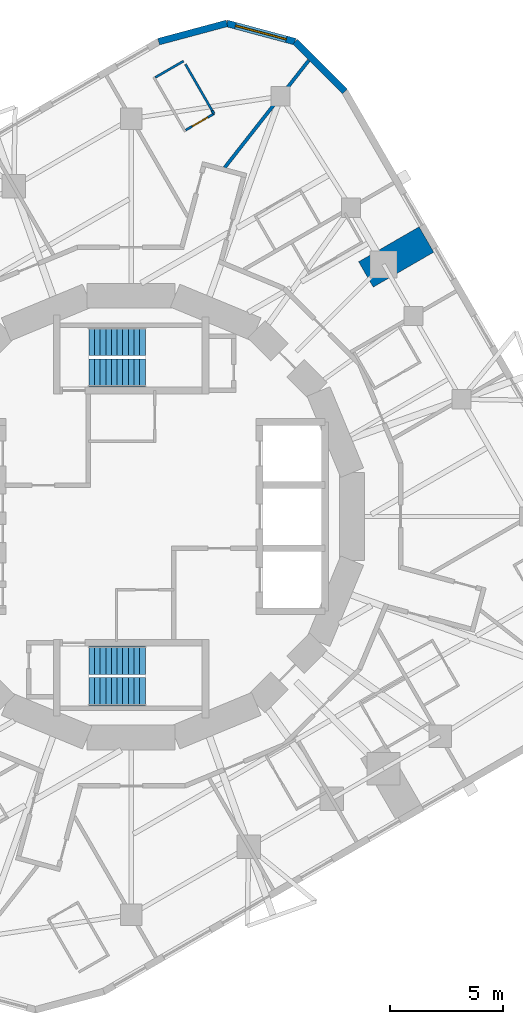
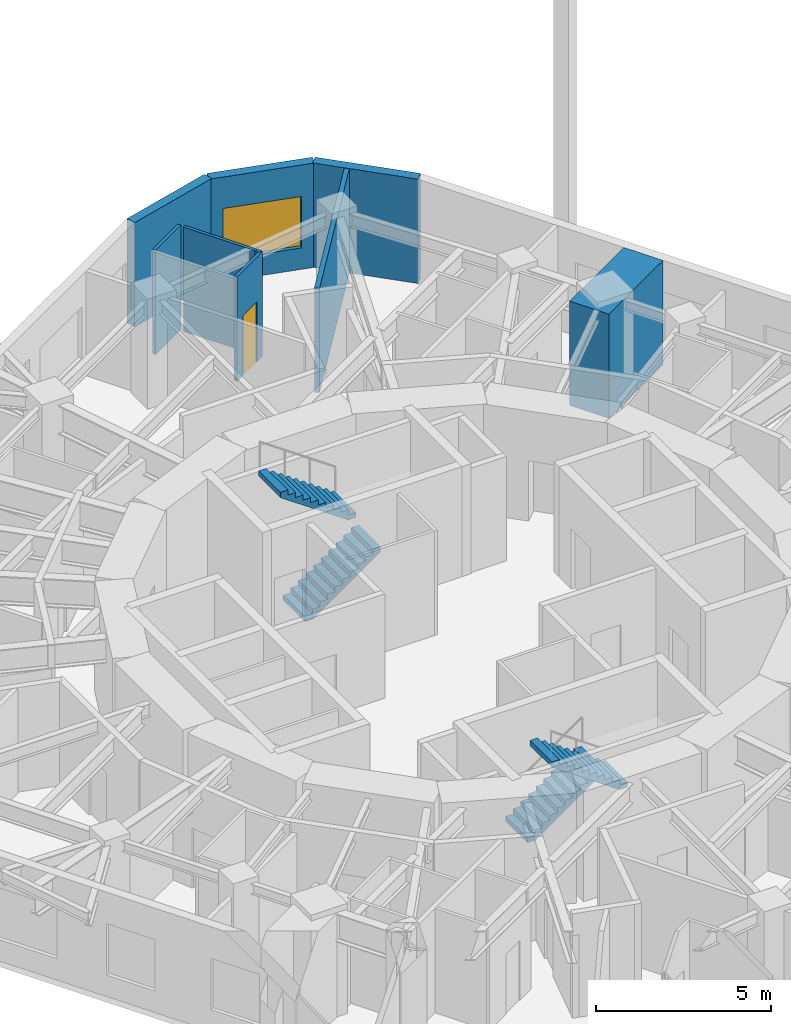
# One storey, part 9 of 10: 9 walls, 4 stair flights, 1 door, 1 window, 2 openings, 2 elements without a shape of their own.
"""IFC4 building model written with IfcOpenShell, lengths in metres."""

import ifcopenshell
import ifcopenshell.guid

model = None  # the IFC model being written
_history = None  # IfcOwnerHistory: only IFC2X3 demands one
_inside = {}  # id of a spatial element -> (the spatial element, [elements in it])
_under = {}  # id of a project, library or spatial element -> (it, [spatial elements below it])
_declared = {}  # id of a project -> (the project, [libraries it declares])
_typed = {}  # id of a type object -> (the type object, [elements of that type])
_made_of = {}  # id of a material, layer set ... -> (it, [elements and type objects made of it])


def new_model(schema):
    """Start an empty IFC model of exactly this schema.

    Asked for "IFC4X3", IfcOpenShell would pick the latest addendum, in which some entities
    have other attributes; the version numbers below select the first issue.
    IFC2X3 requires an IfcOwnerHistory on every rooted entity: one is made here for all.
    """
    global model, _history
    if schema == "IFC4X3":
        model = ifcopenshell.file(schema_version=(4, 3, 0, 0))
    else:
        model = ifcopenshell.file(schema=schema)
    _inside.clear()
    _under.clear()
    _declared.clear()
    _typed.clear()
    _made_of.clear()
    _history = None
    if model.schema == "IFC2X3":
        org = make("IfcOrganization", Name="unknown")
        user = make(
            "IfcPersonAndOrganization",
            ThePerson=make("IfcPerson", FamilyName="unknown"),
            TheOrganization=org,
        )
        app = make(
            "IfcApplication",
            ApplicationDeveloper=org,
            Version="unknown",
            ApplicationFullName="unknown",
            ApplicationIdentifier="unknown",
        )
        _history = make(
            "IfcOwnerHistory",
            OwningUser=user,
            OwningApplication=app,
            ChangeAction="ADDED",
            CreationDate=0,
        )
    return model


def make(cls, **values):
    """One entity of the class cls with the attributes given. An attribute that is None is left unset."""
    return model.create_entity(
        cls, **{name: value for name, value in values.items() if value is not None}
    )


def rooted(cls, **values):
    """An entity with a GlobalId (a new one), such as an element, a storey or a relation."""
    return make(cls, GlobalId=ifcopenshell.guid.new(), OwnerHistory=_history, **values)


def si_unit(unit_type, name, prefix=None):
    """IfcSIUnit, for example si_unit("LENGTHUNIT", "METRE", prefix="MILLI")."""
    return make("IfcSIUnit", UnitType=unit_type, Prefix=prefix, Name=name)


def assignment(units):
    """IfcUnitAssignment: the units of a project."""
    return None if units is None else make("IfcUnitAssignment", Units=units)


def point(xyz):
    """IfcCartesianPoint."""
    return None if xyz is None else make("IfcCartesianPoint", Coordinates=xyz)


def direction(xyz):
    """IfcDirection."""
    return None if xyz is None else make("IfcDirection", DirectionRatios=xyz)


def frame(location, z_axis=None, x_axis=None):
    """IfcAxis2Placement3D, a coordinate frame: its origin and axes. An axis left out is left unset."""
    return make(
        "IfcAxis2Placement3D",
        Location=point(location),
        Axis=direction(z_axis),
        RefDirection=direction(x_axis),
    )


def frame_2d(location, x_axis=None):
    """IfcAxis2Placement2D, a coordinate frame in the plane: its origin and x axis."""
    return make(
        "IfcAxis2Placement2D", Location=point(location), RefDirection=direction(x_axis)
    )


def origin():
    """The frame at (0, 0, 0) with its axes left unset."""
    return frame((0.0, 0.0, 0.0))


def place(relative_to, where):
    """IfcLocalPlacement: puts the frame where relative to a parent placement (None: the world)."""
    return make(
        "IfcLocalPlacement", PlacementRelTo=relative_to, RelativePlacement=where
    )


def context(
    kind, dimensions, precision=None, world=None, true_north=None, identifier=None
):
    """IfcGeometricRepresentationContext, for example the 3D "Model" context."""
    return make(
        "IfcGeometricRepresentationContext",
        ContextIdentifier=identifier,
        ContextType=kind,
        CoordinateSpaceDimension=dimensions,
        Precision=precision,
        WorldCoordinateSystem=world,
        TrueNorth=true_north,
    )


def subcontext(parent, identifier, kind, view, scale=None):
    """IfcGeometricRepresentationSubContext, for example "Body" below "Model"."""
    return make(
        "IfcGeometricRepresentationSubContext",
        ContextIdentifier=identifier,
        ContextType=kind,
        ParentContext=parent,
        TargetScale=scale,
        TargetView=view,
    )


def project(units=None, contexts=None):
    """IfcProject with its units and contexts."""
    return rooted(
        "IfcProject",
        Name="project",
        RepresentationContexts=contexts,
        UnitsInContext=assignment(units),
    )


def spatial(cls, under=None, at=None, **own):
    """A site, building, storey or space (cls), placed at a placement, below another one or the project."""
    s = rooted(cls, ObjectPlacement=at, **own)
    if under is not None:
        _under.setdefault(under.id(), (under, []))[1].append(s)
    return s


def polyline(points):
    """IfcPolyline through the points."""
    return make("IfcPolyline", Points=[point(p) for p in points])


def profile(cls, at=None, kind="AREA", **sizes):
    """A parametric profile (cls). Its sizes go by their IFC names, for example OverallWidth=200.0."""
    return make(cls, ProfileType=kind, Position=at, **sizes)


def rectangle(**sizes):
    """IfcRectangleProfileDef."""
    return profile("IfcRectangleProfileDef", **sizes)


def outline(outer, holes=None, kind="AREA"):
    """IfcArbitraryClosedProfileDef: a profile drawn as a closed curve; with holes, ...WithVoids."""
    if holes is None:
        return make("IfcArbitraryClosedProfileDef", ProfileType=kind, OuterCurve=outer)
    return make(
        "IfcArbitraryProfileDefWithVoids",
        ProfileType=kind,
        OuterCurve=outer,
        InnerCurves=holes,
    )


def extrude(swept, where, along, depth):
    """IfcExtrudedAreaSolid: the profile swept, set in the frame where, extruded along a direction by depth."""
    return make(
        "IfcExtrudedAreaSolid",
        SweptArea=swept,
        Position=where,
        ExtrudedDirection=direction(along),
        Depth=depth,
    )


def shape(context_of_items, identifier, shape_type, items):
    """IfcShapeRepresentation: the items that make up one representation, for example the "Body"."""
    return make(
        "IfcShapeRepresentation",
        ContextOfItems=context_of_items,
        RepresentationIdentifier=identifier,
        RepresentationType=shape_type,
        Items=items,
    )


def material(Name=None, Category=None):
    """IfcMaterial."""
    return make("IfcMaterial", Name=Name, Category=Category)


def layer(
    of_material, thickness, ventilated=None, Name=None, Category=None, Priority=None
):
    """IfcMaterialLayer: one layer of a wall or slab, of a material (None: an air gap)."""
    return make(
        "IfcMaterialLayer",
        Material=of_material,
        LayerThickness=thickness,
        IsVentilated=ventilated,
        Name=Name,
        Category=Category,
        Priority=Priority,
    )


def layer_set(layers, Name=None):
    """IfcMaterialLayerSet."""
    return make("IfcMaterialLayerSet", MaterialLayers=layers, LayerSetName=Name)


def made_of(thing, what):
    """Note that an element or type object is made of a material, layer set ...; save() writes the relation."""
    if what is not None:
        _made_of.setdefault(what.id(), (what, []))[1].append(thing)
    return thing


def type_object(cls, material=None, **own):
    """A type object (cls), such as IfcWallType, which elements share."""
    return made_of(rooted(cls, **own), material)


def element(
    cls,
    number,
    at=None,
    inside=None,
    cuts=None,
    type_object=None,
    material=None,
    context=None,
    identifier="Body",
    shape_type=None,
    held_by="IfcProductDefinitionShape",
    body=None,
    shapes=None,
    **own,
):
    """One element of the class cls, such as IfcWall. Its Tag is "e" and its number.

    at: its placement. inside: the storey or other place that contains it. cuts: it is an
    opening in that element (IfcRelVoidsElement). A single representation is given by context,
    identifier, shape_type and body (its items); several are given by shapes. held_by: the class
    of the entity that holds the representations. save() writes the other relations.
    """
    e = rooted(cls, Tag="e%d" % number, ObjectPlacement=at, **own)
    if body is not None:
        shapes = [shape(context, identifier, shape_type, body)]
    if shapes is not None:
        e.Representation = make(held_by, Representations=shapes)
    if inside is not None:
        _inside.setdefault(inside.id(), (inside, []))[1].append(e)
    if cuts is not None:
        rooted(
            "IfcRelVoidsElement", RelatingBuildingElement=cuts, RelatedOpeningElement=e
        )
    if type_object is not None:
        _typed.setdefault(type_object.id(), (type_object, []))[1].append(e)
    return made_of(e, material)


def fill(opening, filler):
    """IfcRelFillsElement: the door or window that sits in an opening."""
    return rooted(
        "IfcRelFillsElement",
        RelatingOpeningElement=opening,
        RelatedBuildingElement=filler,
    )


def aggregate(whole, parts):
    """IfcRelAggregates: a whole, such as a stair, and the parts it consists of."""
    return rooted("IfcRelAggregates", RelatingObject=whole, RelatedObjects=parts)


def save(model, path):
    """Write the relations noted so far, then the file.

    IfcRelAggregates (storeys below a building ...), IfcRelContainedInSpatialStructure (elements
    in a storey), IfcRelDefinesByType, IfcRelAssociatesMaterial and IfcRelDeclares: one each for
    every whole, place, type object, material and project.
    """
    for whole, parts in _under.values():
        aggregate(whole, parts)
    for where, things in _inside.values():
        rooted(
            "IfcRelContainedInSpatialStructure",
            RelatedElements=things,
            RelatingStructure=where,
        )
    for kind, things in _typed.values():
        rooted("IfcRelDefinesByType", RelatedObjects=things, RelatingType=kind)
    for what, things in _made_of.values():
        rooted("IfcRelAssociatesMaterial", RelatedObjects=things, RelatingMaterial=what)
    for by, libraries in _declared.values():
        rooted("IfcRelDeclares", RelatingContext=by, RelatedDefinitions=libraries)
    model.write(path)


model = new_model("IFC4")

# Units and contexts
model_context = context("Model", 3, precision=1e-05, world=origin(), true_north=direction((0.0, 1.0)))
body_context = subcontext(model_context, "Body", "Model", "MODEL_VIEW")
ifc_project = project(units=[si_unit("LENGTHUNIT", "METRE"), si_unit("AREAUNIT", "SQUARE_METRE"), si_unit("VOLUMEUNIT", "CUBIC_METRE"), si_unit("PLANEANGLEUNIT", "RADIAN"), si_unit("MASSUNIT", "GRAM", prefix="KILO")], contexts=[model_context])

# Site, building, storey
site_placement = place(None, origin())
site = spatial("IfcSite", under=ifc_project, at=site_placement, CompositionType="ELEMENT")
building_placement = place(site_placement, origin())
building = spatial("IfcBuilding", under=site, at=building_placement, Name="Nakasero Lantern House", CompositionType="ELEMENT")
storey_placement = place(building_placement, frame((0.0, 0.0, 223.10009765625)))
storey = spatial("IfcBuildingStorey", under=building, at=storey_placement, Name="L54", CompositionType="ELEMENT", Elevation=223.10009765625)

# Walls
ifc_material_1 = material(Name="Blockwork", Category="masonry")
ifc_layer_1 = layer(ifc_material_1, 1.300048828125)
ifc_layer_set_1 = layer_set([ifc_layer_1], Name="Column pier 1300")
wall_type_1 = type_object("IfcWallType", Name="Column pier 1300", PredefinedType="PARTITIONING", material=ifc_layer_set_1)
wall_1_placement = place(storey_placement, frame((10.4208984375, 10.75048828125, 0.0), z_axis=(0.0, 0.0, 1.0), x_axis=(0.866063626216, 0.499933790963, 0.0)))
element("IfcWall", 1, at=wall_1_placement, inside=storey, type_object=wall_type_1, Name="Column pier L54 PN0-05", PredefinedType="PARTITIONING", context=body_context, shape_type="SweptSolid", body=[
    extrude(rectangle(XDim=3.10009765625, YDim=1.300048828125, at=frame_2d((1.550048828125, 0.0))), origin(), (0.0, 0.0, 1.0), 3.64990234375),
])
ifc_material_2 = material(Name="Blockwork", Category="masonry")
ifc_layer_2 = layer(ifc_material_2, 0.10009765625)
ifc_layer_set_2 = layer_set([ifc_layer_2], Name="En-suite wall 100")
wall_type_2 = type_object("IfcWallType", Name="En-suite wall 100", PredefinedType="PARTITIONING", material=ifc_layer_set_2)
wall_2_placement = place(storey_placement, frame((2.325439453125, 20.221923828125, 0.0), z_axis=(0.0, 0.0, 1.0), x_axis=(-0.86604818453, -0.499960540515, 0.0)))
element("IfcWall", 2, at=wall_2_placement, inside=storey, type_object=wall_type_2, Name="En-suite wall L54 EE1-00", PredefinedType="PARTITIONING", context=body_context, shape_type="SweptSolid", body=[
    extrude(rectangle(XDim=1.44970703125, YDim=0.10009765625, at=frame_2d((0.724853515625, 0.0))), origin(), (0.0, 0.0, 1.0), 3.64990234375),
])

# Wall, opening, door
wall_3_placement = place(storey_placement, frame((3.675537109375, 17.8837890625, 0.0), z_axis=(0.0, 0.0, 1.0), x_axis=(-0.865975268738, -0.500086826395, 0.0)))
wall_3 = element("IfcWall", 3, at=wall_3_placement, inside=storey, type_object=wall_type_2, Name="En-suite wall L54 EI1-00", PredefinedType="PARTITIONING", context=body_context, shape_type="SweptSolid", body=[
    extrude(rectangle(XDim=1.449951171875, YDim=0.10009765625, at=frame_2d((0.72509765625, 0.0))), origin(), (0.0, 0.0, 1.0), 3.64990234375),
])
opening_1_placement = place(wall_3_placement, frame((0.324951171875, 0.0, 0.0)))
opening_1 = element("IfcOpeningElement", 4, at=opening_1_placement, cuts=wall_3, Name="Opening D02", PredefinedType="OPENING", context=body_context, shape_type="SweptSolid", body=[
    extrude(rectangle(XDim=0.800048828125, YDim=2.10009765625, at=frame_2d((0.39990234375, 1.050048828125))), frame((0.0, 0.070068359375, 0.0), z_axis=(0.0, -1.0, 0.0), x_axis=(1.0, 0.0, 0.0)), (0.0, 0.0, 1.0), 0.14013671875),
])
ifc_material_3 = material(Name="Timber C24", Category="wood")
door_type = type_object("IfcDoorType", Name="En-suite door 800", OperationType="SINGLE_SWING_RIGHT", PredefinedType="DOOR", material=ifc_material_3)
door_placement = place(opening_1_placement, origin())
door = element("IfcDoor", 5, at=door_placement, inside=storey, type_object=door_type, Name="Door L54 DE1-00", OperationType="SINGLE_SWING_LEFT", OverallHeight=2.10009765625, OverallWidth=0.800048828125, PredefinedType="DOOR", context=body_context, shape_type="SweptSolid", body=[
    extrude(rectangle(XDim=0.800048828125, YDim=2.10009765625, at=frame_2d((0.39990234375, 1.050048828125))), frame((0.0, 0.02490234375, 0.0), z_axis=(0.0, -1.0, 0.0), x_axis=(1.0, 0.0, 0.0)), (0.0, 0.0, 1.0), 0.050048828125),
])
fill(opening_1, door)

# Walls
wall_4_placement = place(storey_placement, frame((3.595458984375, 18.022216796875, 0.0), z_axis=(0.0, 0.0, 1.0), x_axis=(-0.499956277081, 0.866050645752, 0.0)))
element("IfcWall", 6, at=wall_4_placement, inside=storey, type_object=wall_type_2, Name="En-suite wall L54 EX001", PredefinedType="PARTITIONING", context=body_context, shape_type="SweptSolid", body=[
    extrude(rectangle(XDim=2.380126953125, YDim=0.10009765625, at=frame_2d((1.18994140625, 0.0))), origin(), (0.0, 0.0, 1.0), 3.64990234375),
])
wall_5_placement = place(storey_placement, frame((3.675537109375, 17.8837890625, 0.0), z_axis=(0.0, 0.0, 1.0), x_axis=(-0.500735348028, 0.865600433939, 0.0)))
element("IfcWall", 7, at=wall_5_placement, inside=storey, type_object=wall_type_2, Name="En-suite wall L54 EI1-00R0", PredefinedType="PARTITIONING", context=body_context, shape_type="SweptSolid", body=[
    extrude(rectangle(XDim=0.159912109375, YDim=0.10009765625, at=frame_2d((0.080078125, 0.0))), origin(), (0.0, 0.0, 1.0), 3.64990234375),
])
ifc_material_4 = material(Name="Aluminium rainscreen on blockwork", Category="masonry")
ifc_layer_3 = layer(ifc_material_4, 0.300048828125)
ifc_layer_set_3 = layer_set([ifc_layer_3], Name="Facade wall 300")
wall_type_3 = type_object("IfcWallType", Name="Facade wall 300", PredefinedType="SOLIDWALL", material=ifc_layer_set_3)
wall_6_placement = place(storey_placement, frame((9.4853515625, 18.870849609375, 0.0), z_axis=(0.0, 0.0, 1.0), x_axis=(-0.707067801733, 0.707145758492, 0.0)))
element("IfcWall", 8, at=wall_6_placement, inside=storey, type_object=wall_type_3, Name="Facade wall L54 FW0C1", PredefinedType="SOLIDWALL", context=body_context, shape_type="SweptSolid", body=[
    extrude(rectangle(XDim=3.1318359375, YDim=0.300048828125, at=frame_2d((1.56591796875, 0.0))), origin(), (0.0, 0.0, 1.0), 3.64990234375),
])

# Wall, opening, window
wall_7_placement = place(storey_placement, frame((7.27099609375, 21.08544921875, 0.0), z_axis=(0.0, 0.0, 1.0), x_axis=(-0.965928914048, 0.258807521156, 0.0)))
wall_7 = element("IfcWall", 9, at=wall_7_placement, inside=storey, type_object=wall_type_3, Name="Facade wall L54 FW0C2", PredefinedType="SOLIDWALL", context=body_context, shape_type="SweptSolid", body=[
    extrude(rectangle(XDim=3.1318359375, YDim=0.300048828125, at=frame_2d((1.56591796875, 0.0))), origin(), (0.0, 0.0, 1.0), 3.64990234375),
])
opening_2_placement = place(wall_7_placement, frame((0.39990234375, 0.0, 0.75)))
opening_2 = element("IfcOpeningElement", 10, at=opening_2_placement, cuts=wall_7, Name="Opening W223", PredefinedType="OPENING", context=body_context, shape_type="SweptSolid", body=[
    extrude(rectangle(XDim=2.33203125, YDim=1.800048828125, at=frame_2d((1.166015625, 0.89990234375))), frame((0.0, 0.169921875, 0.0), z_axis=(0.0, -1.0, 0.0), x_axis=(1.0, 0.0, 0.0)), (0.0, 0.0, 1.0), 0.340087890625),
])
ifc_material_5 = material(Name="Aluminium 6063-T6 and glass", Category="aluminium")
window_type = type_object("IfcWindowType", Name="Corner window 2332x1800", PartitioningType="SINGLE_PANEL", PredefinedType="WINDOW", material=ifc_material_5)
window_placement = place(opening_2_placement, origin())
window = element("IfcWindow", 11, at=window_placement, inside=storey, type_object=window_type, Name="Window L54 WC0", OverallHeight=1.800048828125, OverallWidth=2.33203125, PartitioningType="SINGLE_PANEL", PredefinedType="WINDOW", context=body_context, shape_type="SweptSolid", body=[
    extrude(rectangle(XDim=2.33203125, YDim=1.800048828125, at=frame_2d((1.166015625, 0.89990234375))), frame((0.0, 0.030029296875, 0.0), z_axis=(0.0, -1.0, 0.0), x_axis=(1.0, 0.0, 0.0)), (0.0, 0.0, 1.0), 0.06005859375),
])
fill(opening_2, window)

# Walls
wall_8_placement = place(storey_placement, frame((4.245849609375, 21.89599609375, 0.0), z_axis=(0.0, 0.0, 1.0), x_axis=(-0.96592369199, -0.258827010283, 0.0)))
element("IfcWall", 12, at=wall_8_placement, inside=storey, type_object=wall_type_3, Name="Facade wall L54 FW0C3", PredefinedType="SOLIDWALL", context=body_context, shape_type="SweptSolid", body=[
    extrude(rectangle(XDim=3.131591796875, YDim=0.300048828125, at=frame_2d((1.56591796875, 0.0))), origin(), (0.0, 0.0, 1.0), 3.64990234375),
])
ifc_material_6 = material(Name="Blockwork", Category="masonry")
ifc_layer_4 = layer(ifc_material_6, 0.14990234375)
ifc_layer_set_4 = layer_set([ifc_layer_4], Name="Party wall 150")
wall_type_4 = type_object("IfcWallType", Name="Party wall 150", PredefinedType="PARTITIONING", material=ifc_layer_set_4)
wall_9_placement = place(storey_placement, frame((4.15234375, 15.4970703125, 0.0), z_axis=(0.0, 0.0, 1.0), x_axis=(0.617304168215, 0.786724579446, 0.0)))
element("IfcWall", 13, at=wall_9_placement, inside=storey, type_object=wall_type_4, Name="Party wall L54 PW1-00", PredefinedType="PARTITIONING", context=body_context, shape_type="SweptSolid", body=[
    extrude(rectangle(XDim=6.045166015625, YDim=0.14990234375, at=frame_2d((3.0224609375, 0.0))), origin(), (0.0, 0.0, 1.0), 3.64990234375),
])

# Stair, stair flights
ifc_material_7 = material(Name="Concrete C40/50", Category="concrete")
stair_type_1 = type_object("IfcStairType", Name="Escape stair ST1 22 risers", PredefinedType="HALF_TURN_STAIR", material=ifc_material_7)
stair_1_placement = place(storey_placement, origin())
stair_1 = element("IfcStair", 14, at=stair_1_placement, inside=storey, type_object=stair_type_1, Name="Escape stair ST1 L54", PredefinedType="HALF_TURN_STAIR")
ifc_material_8 = material(Name="Concrete C40/50", Category="concrete")
stair_flight_type = type_object("IfcStairFlightType", Name="Escape stair flight", PredefinedType="STRAIGHT", material=ifc_material_8)
stair_flight_1_placement = place(storey_placement, frame((-1.875, 6.375, 0.0), z_axis=(0.0, 0.0, 1.0), x_axis=(1.0, 0.0, 0.0)))
stair_flight_1 = element("IfcStairFlight", 15, at=stair_flight_1_placement, type_object=stair_flight_type, Name="ST1 flight 1", NumberOfRisers=11, NumberOfTreads=10, PredefinedType="STRAIGHT", RiserHeight=0.175, TreadLength=0.25, context=body_context, shape_type="SweptSolid", body=[
    extrude(outline(polyline([(0.0, 0.0), (0.0, 0.175048828125), (0.25, 0.175048828125), (0.25, 0.35009765625), (0.5, 0.35009765625), (0.5, 0.52490234375), (0.75, 0.52490234375), (0.75, 0.699951171875), (1.0, 0.699951171875), (1.0, 0.875), (1.25, 0.875), (1.25, 1.050048828125), (1.5, 1.050048828125), (1.5, 1.22509765625), (1.75, 1.22509765625), (1.75, 1.39990234375), (2.0, 1.39990234375), (2.0, 1.574951171875), (2.25, 1.574951171875), (2.25, 1.75), (2.5, 1.75), (2.5, 1.925048828125), (2.5, 1.567138671875), (0.261474609375, 0.0), (0.0, 0.0)])), frame((0.0, 0.625, 0.0), z_axis=(0.0, -1.0, 0.0), x_axis=(1.0, 0.0, 0.0)), (0.0, 0.0, 1.0), 1.25),
])
stair_flight_2_placement = place(storey_placement, frame((0.625, 7.77490234375, 1.9248046875), z_axis=(0.0, 0.0, 1.0), x_axis=(-1.0, 0.0, 0.0)))
stair_flight_2 = element("IfcStairFlight", 16, at=stair_flight_2_placement, type_object=stair_flight_type, Name="ST1 flight 2", NumberOfRisers=11, NumberOfTreads=10, PredefinedType="STRAIGHT", RiserHeight=0.175, TreadLength=0.25, context=body_context, shape_type="SweptSolid", body=[
    extrude(outline(polyline([(0.0, 0.0), (0.0, 0.175048828125), (0.25, 0.175048828125), (0.25, 0.35009765625), (0.5, 0.35009765625), (0.5, 0.52490234375), (0.75, 0.52490234375), (0.75, 0.699951171875), (1.0, 0.699951171875), (1.0, 0.875), (1.25, 0.875), (1.25, 1.050048828125), (1.5, 1.050048828125), (1.5, 1.22509765625), (1.75, 1.22509765625), (1.75, 1.39990234375), (2.0, 1.39990234375), (2.0, 1.574951171875), (2.25, 1.574951171875), (2.25, 1.75), (2.5, 1.75), (2.5, 1.925048828125), (2.5, 1.567138671875), (0.261474609375, 0.0), (0.0, 0.0)])), frame((0.0, 0.625, 0.0), z_axis=(0.0, -1.0, 0.0), x_axis=(1.0, 0.0, 0.0)), (0.0, 0.0, 1.0), 1.25),
])
aggregate(stair_1, [stair_flight_1, stair_flight_2])

ifc_material_9 = material(Name="Concrete C40/50", Category="concrete")
stair_type_2 = type_object("IfcStairType", Name="Escape stair ST2 22 risers", PredefinedType="HALF_TURN_STAIR", material=ifc_material_9)
stair_2_placement = place(storey_placement, origin())
stair_2 = element("IfcStair", 17, at=stair_2_placement, inside=storey, type_object=stair_type_2, Name="Escape stair ST2 L54", PredefinedType="HALF_TURN_STAIR")
stair_flight_3_placement = place(storey_placement, frame((-1.875, -6.375, 0.0), z_axis=(0.0, 0.0, 1.0), x_axis=(1.0, 0.0, 0.0)))
stair_flight_3 = element("IfcStairFlight", 18, at=stair_flight_3_placement, type_object=stair_flight_type, Name="ST2 flight 1", NumberOfRisers=11, NumberOfTreads=10, PredefinedType="STRAIGHT", RiserHeight=0.175, TreadLength=0.25, context=body_context, shape_type="SweptSolid", body=[
    extrude(outline(polyline([(0.0, 0.0), (0.0, 0.175048828125), (0.25, 0.175048828125), (0.25, 0.35009765625), (0.5, 0.35009765625), (0.5, 0.52490234375), (0.75, 0.52490234375), (0.75, 0.699951171875), (1.0, 0.699951171875), (1.0, 0.875), (1.25, 0.875), (1.25, 1.050048828125), (1.5, 1.050048828125), (1.5, 1.22509765625), (1.75, 1.22509765625), (1.75, 1.39990234375), (2.0, 1.39990234375), (2.0, 1.574951171875), (2.25, 1.574951171875), (2.25, 1.75), (2.5, 1.75), (2.5, 1.925048828125), (2.5, 1.567138671875), (0.261474609375, 0.0), (0.0, 0.0)])), frame((0.0, 0.625, 0.0), z_axis=(0.0, -1.0, 0.0), x_axis=(1.0, 0.0, 0.0)), (0.0, 0.0, 1.0), 1.25),
])
stair_flight_4_placement = place(storey_placement, frame((0.625, -7.77490234375, 1.9248046875), z_axis=(0.0, 0.0, 1.0), x_axis=(-1.0, 0.0, 0.0)))
stair_flight_4 = element("IfcStairFlight", 19, at=stair_flight_4_placement, type_object=stair_flight_type, Name="ST2 flight 2", NumberOfRisers=11, NumberOfTreads=10, PredefinedType="STRAIGHT", RiserHeight=0.175, TreadLength=0.25, context=body_context, shape_type="SweptSolid", body=[
    extrude(outline(polyline([(0.0, 0.0), (0.0, 0.175048828125), (0.25, 0.175048828125), (0.25, 0.35009765625), (0.5, 0.35009765625), (0.5, 0.52490234375), (0.75, 0.52490234375), (0.75, 0.699951171875), (1.0, 0.699951171875), (1.0, 0.875), (1.25, 0.875), (1.25, 1.050048828125), (1.5, 1.050048828125), (1.5, 1.22509765625), (1.75, 1.22509765625), (1.75, 1.39990234375), (2.0, 1.39990234375), (2.0, 1.574951171875), (2.25, 1.574951171875), (2.25, 1.75), (2.5, 1.75), (2.5, 1.925048828125), (2.5, 1.567138671875), (0.261474609375, 0.0), (0.0, 0.0)])), frame((0.0, 0.625, 0.0), z_axis=(0.0, -1.0, 0.0), x_axis=(1.0, 0.0, 0.0)), (0.0, 0.0, 1.0), 1.25),
])
aggregate(stair_2, [stair_flight_3, stair_flight_4])

save(model, "model.ifc")
